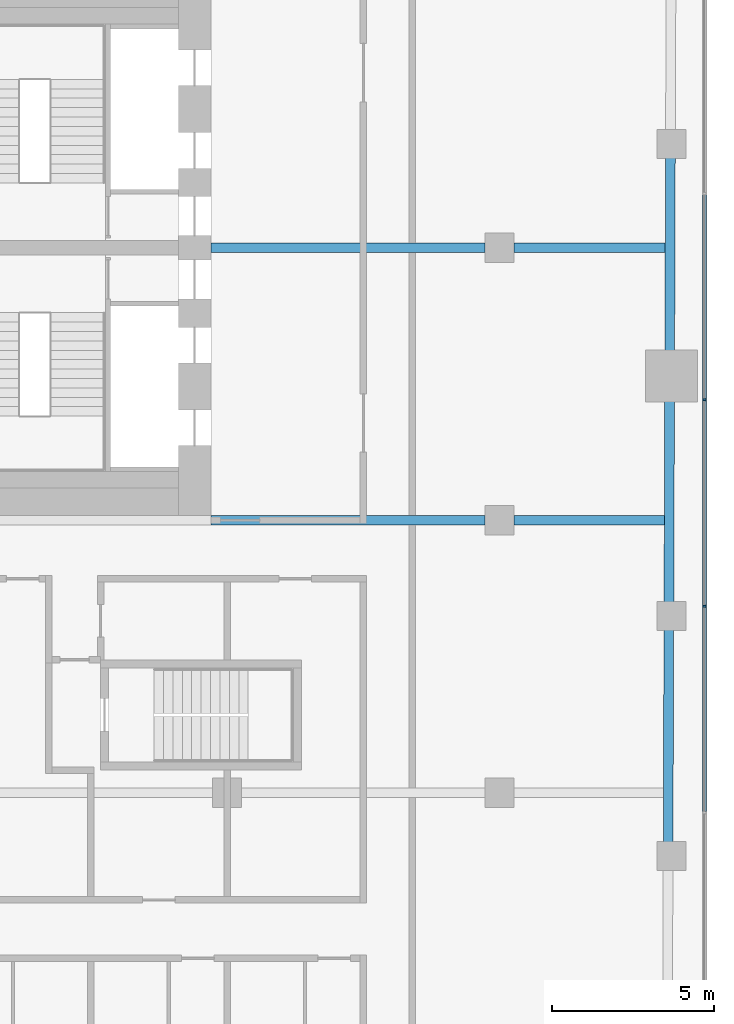
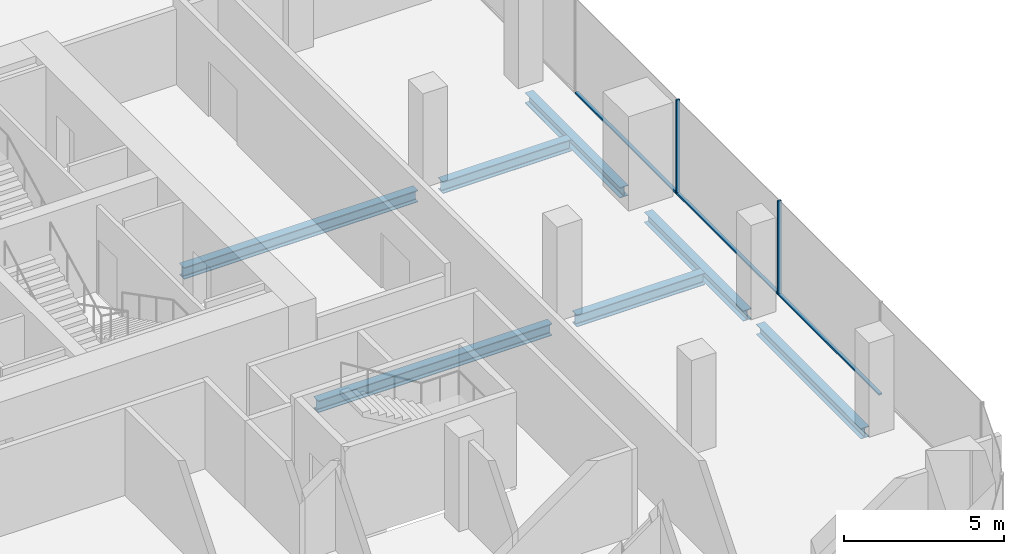
# One storey, part 7 of 21: 7 beams, 5 members, 1 element without a shape of its own.
"""IFC4 building model written with IfcOpenShell, lengths in metres."""

from ifc_helpers import new_model, si_unit, direction, frame, origin, origin_2d, place, context, subcontext, project, spatial, rectangle, i_section, extrude, material, layer, layer_set, material_profile, profile_set, type_object, element, aggregate, save


model = new_model("IFC4")

# Units and contexts
model_context = context("Model", 3, precision=1e-05, world=origin(), true_north=direction((0.0, 1.0)))
body_context = subcontext(model_context, "Body", "Model", "MODEL_VIEW")
ifc_project = project(units=[si_unit("LENGTHUNIT", "METRE"), si_unit("AREAUNIT", "SQUARE_METRE"), si_unit("VOLUMEUNIT", "CUBIC_METRE"), si_unit("PLANEANGLEUNIT", "RADIAN"), si_unit("MASSUNIT", "GRAM", prefix="KILO")], contexts=[model_context])

# Site, building, storey
site_placement = place(None, origin())
site = spatial("IfcSite", under=ifc_project, at=site_placement, CompositionType="ELEMENT")
building_placement = place(site_placement, origin())
building = spatial("IfcBuilding", under=site, at=building_placement, Name="Marenta Gate Hotel Tower", CompositionType="ELEMENT")
storey_placement = place(building_placement, frame((0.0, 0.0, 133.699951171875)))
storey = spatial("IfcBuildingStorey", under=building, at=storey_placement, Name="L30", CompositionType="ELEMENT", Elevation=133.699951171875)

# Beams
ifc_material_1 = material(Name="Steel S355", Category="steel")
ifc_material_profile_1 = material_profile(ifc_material_1, i_section(OverallWidth=0.300048828125, OverallDepth=0.39990234375, WebThickness=0.013427734375, FlangeThickness=0.02392578125, FilletRadius=0.027099609375, at=origin_2d()), Name="HEB 400")
ifc_profile_set_1 = profile_set([ifc_material_profile_1], Name="Steel S355")
beam_type_1 = type_object("IfcBeamType", Name="Edge beam HEB 400", PredefinedType="SPANDREL", material=ifc_profile_set_1)
beam_1_placement = place(storey_placement, frame((26.26416015625, 11.193115234375, -0.4599609375), z_axis=(-0.003305160059, -0.999994537944, 0.0), x_axis=(0.999994537944, -0.003305160059, 0.0)))
element("IfcBeam", 1, at=beam_1_placement, inside=storey, type_object=beam_type_1, Name="L30-EB-24", PredefinedType="SPANDREL", context=body_context, shape_type="SweptSolid", body=[
    extrude(i_section(OverallWidth=0.300048828125, OverallDepth=0.39990234375, WebThickness=0.013427734375, FlangeThickness=0.02392578125, FilletRadius=0.027099609375, at=origin_2d()), origin(), (0.0, 0.0, 1.0), 5.983154296875),
])
beam_2_placement = place(storey_placement, frame((26.2392578125, 3.68994140625, -0.4599609375), z_axis=(-0.003330441525, -0.999994454064, 0.0), x_axis=(0.999994454064, -0.003330441525, 0.0)))
element("IfcBeam", 2, at=beam_2_placement, inside=storey, type_object=beam_type_1, Name="L30-EB-25", PredefinedType="SPANDREL", context=body_context, shape_type="SweptSolid", body=[
    extrude(i_section(OverallWidth=0.300048828125, OverallDepth=0.39990234375, WebThickness=0.013427734375, FlangeThickness=0.02392578125, FilletRadius=0.027099609375, at=origin_2d()), origin(), (0.0, 0.0, 1.0), 6.23095703125),
])
beam_3_placement = place(storey_placement, frame((26.2158203125, -3.36083984375, -0.4599609375), z_axis=(-0.00333875569, -0.99999442634, 0.0), x_axis=(0.99999442634, -0.00333875569, 0.0)))
element("IfcBeam", 3, at=beam_3_placement, inside=storey, type_object=beam_type_1, Name="L30-EB-26", PredefinedType="SPANDREL", context=body_context, shape_type="SweptSolid", body=[
    extrude(i_section(OverallWidth=0.300048828125, OverallDepth=0.39990234375, WebThickness=0.013427734375, FlangeThickness=0.02392578125, FilletRadius=0.027099609375, at=origin_2d()), origin(), (0.0, 0.0, 1.0), 6.5810546875),
])
ifc_material_2 = material(Name="Steel S355", Category="steel")
ifc_material_profile_2 = material_profile(ifc_material_2, i_section(OverallWidth=0.300048828125, OverallDepth=0.449951171875, WebThickness=0.013916015625, FlangeThickness=0.02587890625, FilletRadius=0.027099609375, at=origin_2d()), Name="HEB 450")
ifc_profile_set_2 = profile_set([ifc_material_profile_2], Name="Steel S355")
beam_type_2 = type_object("IfcBeamType", Name="Girder HEB 450", PredefinedType="BEAM", material=ifc_profile_set_2)
beam_4_placement = place(storey_placement, frame((12.10009765625, 0.0, -0.48486328125), z_axis=(1.0, 0.0, 0.0), x_axis=(0.0, 1.0, 0.0)))
element("IfcBeam", 4, at=beam_4_placement, inside=storey, type_object=beam_type_2, Name="L30-GD-18", PredefinedType="BEAM", context=body_context, shape_type="SweptSolid", body=[
    extrude(i_section(OverallWidth=0.300048828125, OverallDepth=0.449951171875, WebThickness=0.013916015625, FlangeThickness=0.02587890625, FilletRadius=0.027099609375, at=origin_2d()), origin(), (0.0, 0.0, 1.0), 8.449951171875),
])
beam_5_placement = place(storey_placement, frame((21.449951171875, 0.0, -0.48486328125), z_axis=(1.0, 0.0, 0.0), x_axis=(0.0, 1.0, 0.0)))
element("IfcBeam", 5, at=beam_5_placement, inside=storey, type_object=beam_type_2, Name="L30-GD-19", PredefinedType="BEAM", context=body_context, shape_type="SweptSolid", body=[
    extrude(i_section(OverallWidth=0.300048828125, OverallDepth=0.449951171875, WebThickness=0.013916015625, FlangeThickness=0.02587890625, FilletRadius=0.027099609375, at=origin_2d()), origin(), (0.0, 0.0, 1.0), 4.626953125),
])
beam_6_placement = place(storey_placement, frame((12.10009765625, 8.39990234375, -0.48486328125), z_axis=(1.0, 0.0, 0.0), x_axis=(0.0, 1.0, 0.0)))
element("IfcBeam", 6, at=beam_6_placement, inside=storey, type_object=beam_type_2, Name="L30-GD-22", PredefinedType="BEAM", context=body_context, shape_type="SweptSolid", body=[
    extrude(i_section(OverallWidth=0.300048828125, OverallDepth=0.449951171875, WebThickness=0.013916015625, FlangeThickness=0.02587890625, FilletRadius=0.027099609375, at=origin_2d()), origin(), (0.0, 0.0, 1.0), 8.449951171875),
])
beam_7_placement = place(storey_placement, frame((21.449951171875, 8.39990234375, -0.48486328125), z_axis=(1.0, 0.0, 0.0), x_axis=(0.0, 1.0, 0.0)))
element("IfcBeam", 7, at=beam_7_placement, inside=storey, type_object=beam_type_2, Name="L30-GD-23", PredefinedType="BEAM", context=body_context, shape_type="SweptSolid", body=[
    extrude(i_section(OverallWidth=0.300048828125, OverallDepth=0.449951171875, WebThickness=0.013916015625, FlangeThickness=0.02587890625, FilletRadius=0.027099609375, at=origin_2d()), origin(), (0.0, 0.0, 1.0), 4.655029296875),
])

# Curtain wall, members
ifc_material_3 = material(Name="Tinted insulated glass in bronze anodised frame", Category="glass")
ifc_layer = layer(ifc_material_3, 0.1201171875)
ifc_layer_set = layer_set([ifc_layer], Name="Tinted insulated glass in bronze anodised frame")
curtain_wall_type = type_object("IfcCurtainWallType", Name="Tower unitised curtain wall CW1", PredefinedType="NOTDEFINED", material=ifc_layer_set)
curtain_wall_placement = place(storey_placement, origin())
curtain_wall = element("IfcCurtainWall", 8, at=curtain_wall_placement, inside=storey, type_object=curtain_wall_type, Name="CW1 run G11", PredefinedType="NOTDEFINED")
ifc_material_4 = material(Name="Bronze anodised aluminium", Category="aluminium")
ifc_material_profile_3 = material_profile(ifc_material_4, rectangle(XDim=0.1201171875, YDim=0.06005859375, at=origin_2d()), Name="Mullion CW1 60x120 bronze anodised aluminium")
ifc_profile_set_3 = profile_set([ifc_material_profile_3], Name="Bronze anodised aluminium")
member_type_1 = type_object("IfcMemberType", Name="Mullion CW1 60x120 bronze anodised aluminium", PredefinedType="MULLION", material=ifc_profile_set_3)
member_1_placement = place(storey_placement, frame((27.31396484375, -2.64794921875, 0.0), z_axis=(0.0, 0.0, 1.0), x_axis=(-1.0, 0.0, 0.0)))
member_1 = element("IfcMember", 9, at=member_1_placement, type_object=member_type_1, Name="CW1 mullion 3", PredefinedType="MULLION", context=body_context, shape_type="SweptSolid", body=[
    extrude(rectangle(XDim=0.1201171875, YDim=0.06005859375, at=origin_2d()), origin(), (0.0, 0.0, 1.0), 3.60009765625),
])
member_2_placement = place(storey_placement, frame((27.31396484375, 3.7119140625, 0.0), z_axis=(0.0, 0.0, 1.0), x_axis=(-1.0, 0.0, 0.0)))
member_2 = element("IfcMember", 10, at=member_2_placement, type_object=member_type_1, Name="CW1 mullion 4", PredefinedType="MULLION", context=body_context, shape_type="SweptSolid", body=[
    extrude(rectangle(XDim=0.1201171875, YDim=0.06005859375, at=origin_2d()), origin(), (0.0, 0.0, 1.0), 3.60009765625),
])
ifc_material_5 = material(Name="Bronze anodised aluminium", Category="aluminium")
ifc_material_profile_4 = material_profile(ifc_material_5, rectangle(XDim=0.1201171875, YDim=0.06005859375, at=origin_2d()), Name="Transom CW1 60x120 bronze anodised aluminium")
ifc_profile_set_4 = profile_set([ifc_material_profile_4], Name="Bronze anodised aluminium")
member_type_2 = type_object("IfcMemberType", Name="Transom CW1 60x120 bronze anodised aluminium", PredefinedType="USERDEFINED", material=ifc_profile_set_4)
member_3_placement = place(storey_placement, frame((27.31396484375, -8.97802734375, 0.030029296875), z_axis=(0.0, 1.0, 0.0), x_axis=(-1.0, 0.0, 0.0)))
member_3 = element("IfcMember", 11, at=member_3_placement, type_object=member_type_2, Name="CW1 transom 2.1", ObjectType="TRANSOM", PredefinedType="USERDEFINED", context=body_context, shape_type="SweptSolid", body=[
    extrude(rectangle(XDim=0.1201171875, YDim=0.06005859375, at=origin_2d()), origin(), (0.0, 0.0, 1.0), 6.300048828125),
])
member_4_placement = place(storey_placement, frame((27.31396484375, -2.617919921875, 0.030029296875), z_axis=(0.0, 1.0, 0.0), x_axis=(-1.0, 0.0, 0.0)))
member_4 = element("IfcMember", 12, at=member_4_placement, type_object=member_type_2, Name="CW1 transom 3.1", ObjectType="TRANSOM", PredefinedType="USERDEFINED", context=body_context, shape_type="SweptSolid", body=[
    extrude(rectangle(XDim=0.1201171875, YDim=0.06005859375, at=origin_2d()), origin(), (0.0, 0.0, 1.0), 6.2998046875),
])
member_5_placement = place(storey_placement, frame((27.31396484375, 3.741943359375, 0.030029296875), z_axis=(0.0, 1.0, 0.0), x_axis=(-1.0, 0.0, 0.0)))
member_5 = element("IfcMember", 13, at=member_5_placement, type_object=member_type_2, Name="CW1 transom 4.1", ObjectType="TRANSOM", PredefinedType="USERDEFINED", context=body_context, shape_type="SweptSolid", body=[
    extrude(rectangle(XDim=0.1201171875, YDim=0.06005859375, at=origin_2d()), origin(), (0.0, 0.0, 1.0), 6.300048828125),
])
aggregate(curtain_wall, [member_1, member_2, member_3, member_4, member_5])

save(model, "model.ifc")
